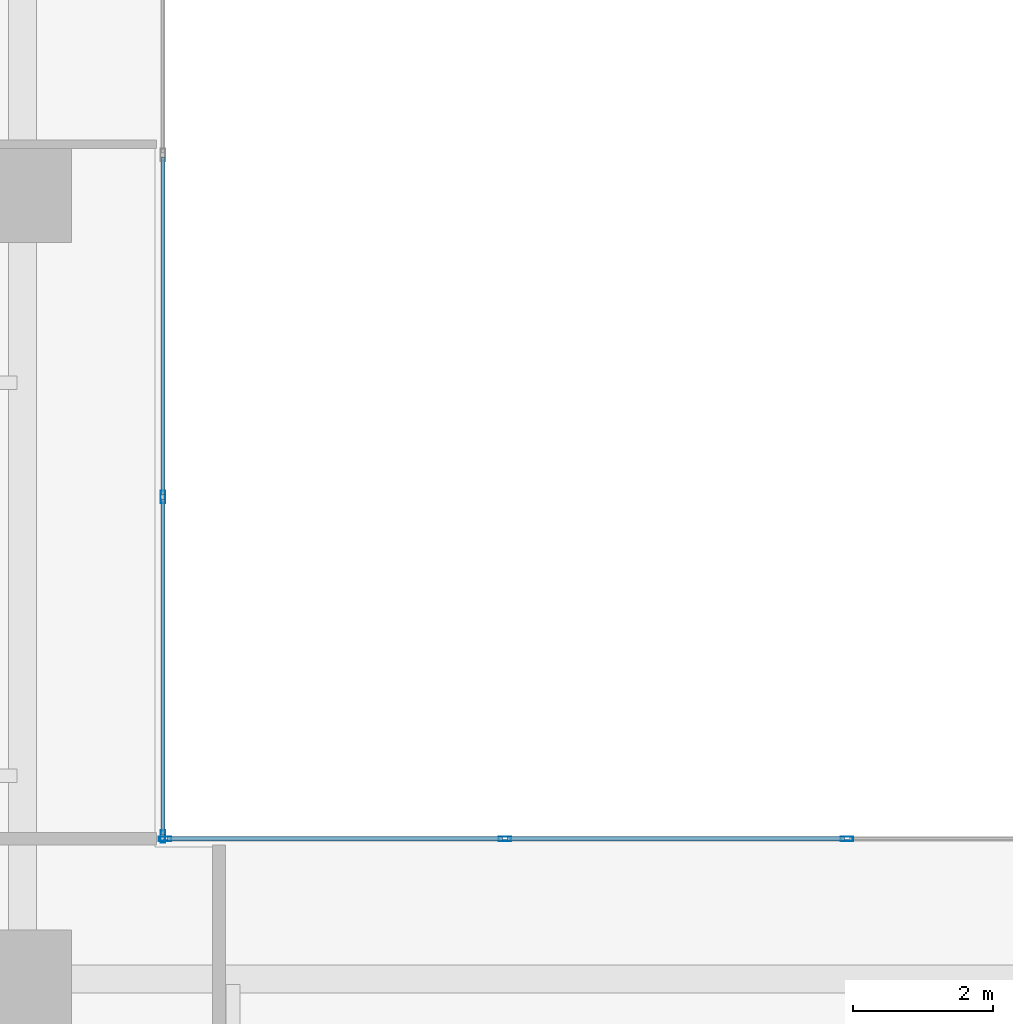
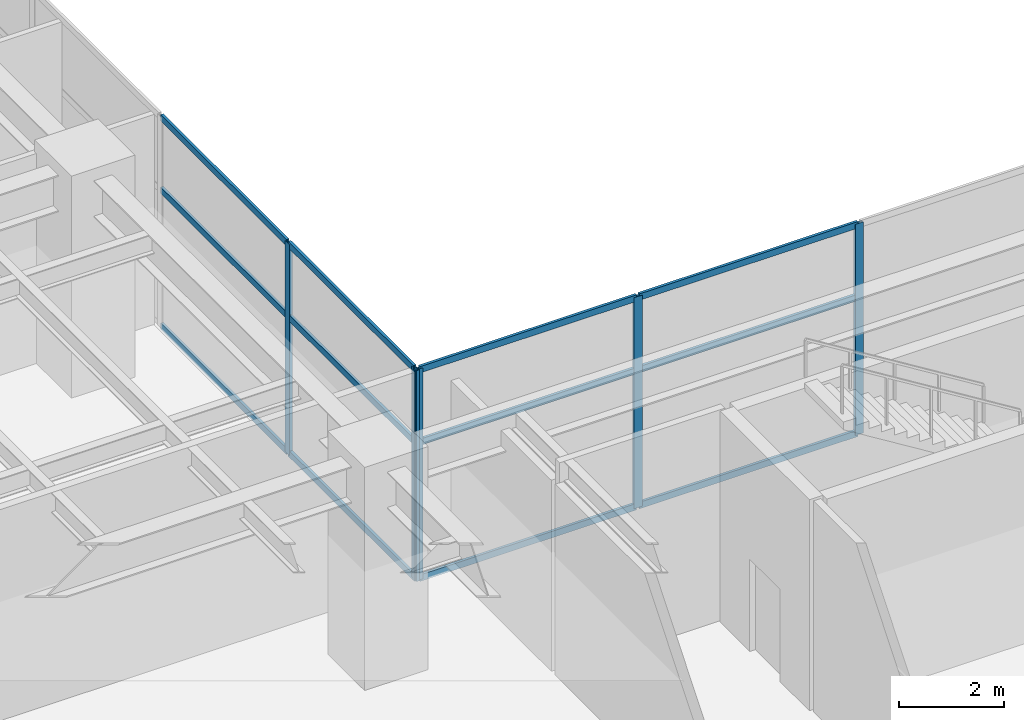
# One storey, part 8 of 22: 17 members, 2 elements without a shape of their own.
"""IFC4 building model written with IfcOpenShell, lengths in metres."""

import ifcopenshell
import ifcopenshell.guid

model = None  # the IFC model being written
_history = None  # IfcOwnerHistory: only IFC2X3 demands one
_inside = {}  # id of a spatial element -> (the spatial element, [elements in it])
_under = {}  # id of a project, library or spatial element -> (it, [spatial elements below it])
_declared = {}  # id of a project -> (the project, [libraries it declares])
_typed = {}  # id of a type object -> (the type object, [elements of that type])
_made_of = {}  # id of a material, layer set ... -> (it, [elements and type objects made of it])


def new_model(schema):
    """Start an empty IFC model of exactly this schema.

    Asked for "IFC4X3", IfcOpenShell would pick the latest addendum, in which some entities
    have other attributes; the version numbers below select the first issue.
    IFC2X3 requires an IfcOwnerHistory on every rooted entity: one is made here for all.
    """
    global model, _history
    if schema == "IFC4X3":
        model = ifcopenshell.file(schema_version=(4, 3, 0, 0))
    else:
        model = ifcopenshell.file(schema=schema)
    _inside.clear()
    _under.clear()
    _declared.clear()
    _typed.clear()
    _made_of.clear()
    _history = None
    if model.schema == "IFC2X3":
        org = make("IfcOrganization", Name="unknown")
        user = make(
            "IfcPersonAndOrganization",
            ThePerson=make("IfcPerson", FamilyName="unknown"),
            TheOrganization=org,
        )
        app = make(
            "IfcApplication",
            ApplicationDeveloper=org,
            Version="unknown",
            ApplicationFullName="unknown",
            ApplicationIdentifier="unknown",
        )
        _history = make(
            "IfcOwnerHistory",
            OwningUser=user,
            OwningApplication=app,
            ChangeAction="ADDED",
            CreationDate=0,
        )
    return model


def make(cls, **values):
    """One entity of the class cls with the attributes given. An attribute that is None is left unset."""
    return model.create_entity(
        cls, **{name: value for name, value in values.items() if value is not None}
    )


def rooted(cls, **values):
    """An entity with a GlobalId (a new one), such as an element, a storey or a relation."""
    return make(cls, GlobalId=ifcopenshell.guid.new(), OwnerHistory=_history, **values)


def si_unit(unit_type, name, prefix=None):
    """IfcSIUnit, for example si_unit("LENGTHUNIT", "METRE", prefix="MILLI")."""
    return make("IfcSIUnit", UnitType=unit_type, Prefix=prefix, Name=name)


def assignment(units):
    """IfcUnitAssignment: the units of a project."""
    return None if units is None else make("IfcUnitAssignment", Units=units)


def point(xyz):
    """IfcCartesianPoint."""
    return None if xyz is None else make("IfcCartesianPoint", Coordinates=xyz)


def direction(xyz):
    """IfcDirection."""
    return None if xyz is None else make("IfcDirection", DirectionRatios=xyz)


def frame(location, z_axis=None, x_axis=None):
    """IfcAxis2Placement3D, a coordinate frame: its origin and axes. An axis left out is left unset."""
    return make(
        "IfcAxis2Placement3D",
        Location=point(location),
        Axis=direction(z_axis),
        RefDirection=direction(x_axis),
    )


def frame_2d(location, x_axis=None):
    """IfcAxis2Placement2D, a coordinate frame in the plane: its origin and x axis."""
    return make(
        "IfcAxis2Placement2D", Location=point(location), RefDirection=direction(x_axis)
    )


def origin():
    """The frame at (0, 0, 0) with its axes left unset."""
    return frame((0.0, 0.0, 0.0))


def origin_2d():
    """The frame at (0, 0) in the plane with its x axis left unset."""
    return frame_2d((0.0, 0.0))


def place(relative_to, where):
    """IfcLocalPlacement: puts the frame where relative to a parent placement (None: the world)."""
    return make(
        "IfcLocalPlacement", PlacementRelTo=relative_to, RelativePlacement=where
    )


def context(
    kind, dimensions, precision=None, world=None, true_north=None, identifier=None
):
    """IfcGeometricRepresentationContext, for example the 3D "Model" context."""
    return make(
        "IfcGeometricRepresentationContext",
        ContextIdentifier=identifier,
        ContextType=kind,
        CoordinateSpaceDimension=dimensions,
        Precision=precision,
        WorldCoordinateSystem=world,
        TrueNorth=true_north,
    )


def subcontext(parent, identifier, kind, view, scale=None):
    """IfcGeometricRepresentationSubContext, for example "Body" below "Model"."""
    return make(
        "IfcGeometricRepresentationSubContext",
        ContextIdentifier=identifier,
        ContextType=kind,
        ParentContext=parent,
        TargetScale=scale,
        TargetView=view,
    )


def project(units=None, contexts=None):
    """IfcProject with its units and contexts."""
    return rooted(
        "IfcProject",
        Name="project",
        RepresentationContexts=contexts,
        UnitsInContext=assignment(units),
    )


def spatial(cls, under=None, at=None, **own):
    """A site, building, storey or space (cls), placed at a placement, below another one or the project."""
    s = rooted(cls, ObjectPlacement=at, **own)
    if under is not None:
        _under.setdefault(under.id(), (under, []))[1].append(s)
    return s


def profile(cls, at=None, kind="AREA", **sizes):
    """A parametric profile (cls). Its sizes go by their IFC names, for example OverallWidth=200.0."""
    return make(cls, ProfileType=kind, Position=at, **sizes)


def hollow_rectangle(**sizes):
    """IfcRectangleHollowProfileDef."""
    return profile("IfcRectangleHollowProfileDef", **sizes)


def extrude(swept, where, along, depth):
    """IfcExtrudedAreaSolid: the profile swept, set in the frame where, extruded along a direction by depth."""
    return make(
        "IfcExtrudedAreaSolid",
        SweptArea=swept,
        Position=where,
        ExtrudedDirection=direction(along),
        Depth=depth,
    )


def shape(context_of_items, identifier, shape_type, items):
    """IfcShapeRepresentation: the items that make up one representation, for example the "Body"."""
    return make(
        "IfcShapeRepresentation",
        ContextOfItems=context_of_items,
        RepresentationIdentifier=identifier,
        RepresentationType=shape_type,
        Items=items,
    )


def material(Name=None, Category=None):
    """IfcMaterial."""
    return make("IfcMaterial", Name=Name, Category=Category)


def layer(
    of_material, thickness, ventilated=None, Name=None, Category=None, Priority=None
):
    """IfcMaterialLayer: one layer of a wall or slab, of a material (None: an air gap)."""
    return make(
        "IfcMaterialLayer",
        Material=of_material,
        LayerThickness=thickness,
        IsVentilated=ventilated,
        Name=Name,
        Category=Category,
        Priority=Priority,
    )


def layer_set(layers, Name=None):
    """IfcMaterialLayerSet."""
    return make("IfcMaterialLayerSet", MaterialLayers=layers, LayerSetName=Name)


def material_profile(
    of_material, cross_section, Name=None, Category=None, Priority=None
):
    """IfcMaterialProfile: a cross section and its material."""
    return make(
        "IfcMaterialProfile",
        Name=Name,
        Material=of_material,
        Profile=cross_section,
        Priority=Priority,
        Category=Category,
    )


def profile_set(profiles, Name=None, composite=None):
    """IfcMaterialProfileSet."""
    return make(
        "IfcMaterialProfileSet",
        Name=Name,
        MaterialProfiles=profiles,
        CompositeProfile=composite,
    )


def made_of(thing, what):
    """Note that an element or type object is made of a material, layer set ...; save() writes the relation."""
    if what is not None:
        _made_of.setdefault(what.id(), (what, []))[1].append(thing)
    return thing


def type_object(cls, material=None, **own):
    """A type object (cls), such as IfcWallType, which elements share."""
    return made_of(rooted(cls, **own), material)


def element(
    cls,
    number,
    at=None,
    inside=None,
    cuts=None,
    type_object=None,
    material=None,
    context=None,
    identifier="Body",
    shape_type=None,
    held_by="IfcProductDefinitionShape",
    body=None,
    shapes=None,
    **own,
):
    """One element of the class cls, such as IfcWall. Its Tag is "e" and its number.

    at: its placement. inside: the storey or other place that contains it. cuts: it is an
    opening in that element (IfcRelVoidsElement). A single representation is given by context,
    identifier, shape_type and body (its items); several are given by shapes. held_by: the class
    of the entity that holds the representations. save() writes the other relations.
    """
    e = rooted(cls, Tag="e%d" % number, ObjectPlacement=at, **own)
    if body is not None:
        shapes = [shape(context, identifier, shape_type, body)]
    if shapes is not None:
        e.Representation = make(held_by, Representations=shapes)
    if inside is not None:
        _inside.setdefault(inside.id(), (inside, []))[1].append(e)
    if cuts is not None:
        rooted(
            "IfcRelVoidsElement", RelatingBuildingElement=cuts, RelatedOpeningElement=e
        )
    if type_object is not None:
        _typed.setdefault(type_object.id(), (type_object, []))[1].append(e)
    return made_of(e, material)


def aggregate(whole, parts):
    """IfcRelAggregates: a whole, such as a stair, and the parts it consists of."""
    return rooted("IfcRelAggregates", RelatingObject=whole, RelatedObjects=parts)


def save(model, path):
    """Write the relations noted so far, then the file.

    IfcRelAggregates (storeys below a building ...), IfcRelContainedInSpatialStructure (elements
    in a storey), IfcRelDefinesByType, IfcRelAssociatesMaterial and IfcRelDeclares: one each for
    every whole, place, type object, material and project.
    """
    for whole, parts in _under.values():
        aggregate(whole, parts)
    for where, things in _inside.values():
        rooted(
            "IfcRelContainedInSpatialStructure",
            RelatedElements=things,
            RelatingStructure=where,
        )
    for kind, things in _typed.values():
        rooted("IfcRelDefinesByType", RelatedObjects=things, RelatingType=kind)
    for what, things in _made_of.values():
        rooted("IfcRelAssociatesMaterial", RelatedObjects=things, RelatingMaterial=what)
    for by, libraries in _declared.values():
        rooted("IfcRelDeclares", RelatingContext=by, RelatedDefinitions=libraries)
    model.write(path)


model = new_model("IFC4")

# Units and contexts
model_context = context("Model", 3, precision=1e-05, world=origin(), true_north=direction((0.0, 1.0)))
body_context = subcontext(model_context, "Body", "Model", "MODEL_VIEW")
ifc_project = project(units=[si_unit("LENGTHUNIT", "METRE"), si_unit("AREAUNIT", "SQUARE_METRE"), si_unit("VOLUMEUNIT", "CUBIC_METRE"), si_unit("PLANEANGLEUNIT", "RADIAN"), si_unit("MASSUNIT", "GRAM", prefix="KILO")], contexts=[model_context])

# Site, building, storey
site_placement = place(None, origin())
site = spatial("IfcSite", under=ifc_project, at=site_placement, CompositionType="ELEMENT")
building_placement = place(site_placement, origin())
building = spatial("IfcBuilding", under=site, at=building_placement, Name="Mawjaban Terraces University", CompositionType="ELEMENT")
storey_placement = place(building_placement, frame((0.0, 0.0, 10.39990234375)))
storey = spatial("IfcBuildingStorey", under=building, at=storey_placement, Name="L02", CompositionType="ELEMENT", Elevation=10.39990234375)

# Curtain wall, members
ifc_material_1 = material(Name="Anodised aluminium 6063-T6 and solar-control low-E glass", Category="aluminium")
ifc_layer = layer(ifc_material_1, 0.179931640625)
ifc_layer_set = layer_set([ifc_layer], Name="Anodised aluminium 6063-T6 and solar-control low-E glass")
curtain_wall_type = type_object("IfcCurtainWallType", Name="CWSystem_01_PlazaFoyer", PredefinedType="NOTDEFINED", material=ifc_layer_set)
curtain_wall_1_placement = place(storey_placement, origin())
curtain_wall_1 = element("IfcCurtainWall", 1, at=curtain_wall_1_placement, inside=storey, type_object=curtain_wall_type, Name="L02 Curtain Wall CW-01 Run 5.1", PredefinedType="NOTDEFINED")
ifc_material_2 = material(Name="Anodised aluminium 6063-T6", Category="aluminium")
ifc_material_profile_1 = material_profile(ifc_material_2, hollow_rectangle(XDim=0.06494140625, YDim=0.179931640625, WallThickness=0.00390625, at=origin_2d()), Name="ALU180X65X4")
ifc_profile_set_1 = profile_set([ifc_material_profile_1], Name="Anodised aluminium 6063-T6")
member_type_1 = type_object("IfcMemberType", Name="Mullion_CW-01", PredefinedType="MULLION", material=ifc_profile_set_1)
member_1_placement = place(storey_placement, frame((63.75, 32.0, 0.0), z_axis=(0.0, 0.0, 1.0), x_axis=(0.0, -1.0, 0.0)))
member_1 = element("IfcMember", 2, at=member_1_placement, type_object=member_type_1, Name="CW-01 mullion 3", PredefinedType="MULLION", context=body_context, shape_type="SweptSolid", body=[
    extrude(hollow_rectangle(XDim=0.06494140625, YDim=0.179931640625, WallThickness=0.00390625, at=origin_2d()), origin(), (0.0, 0.0, 1.0), 4.920166015625),
])
member_2_placement = place(storey_placement, frame((58.875, 32.0, 0.0), z_axis=(0.0, 0.0, 1.0), x_axis=(0.0, -1.0, 0.0)))
member_2 = element("IfcMember", 3, at=member_2_placement, type_object=member_type_1, Name="CW-01 mullion 4", PredefinedType="MULLION", context=body_context, shape_type="SweptSolid", body=[
    extrude(hollow_rectangle(XDim=0.06494140625, YDim=0.179931640625, WallThickness=0.00390625, at=origin_2d()), origin(), (0.0, 0.0, 1.0), 4.920166015625),
])
member_3_placement = place(storey_placement, frame((54.032470703125, 32.0, 0.0), z_axis=(0.0, 0.0, 1.0), x_axis=(0.0, -1.0, 0.0)))
member_3 = element("IfcMember", 4, at=member_3_placement, type_object=member_type_1, Name="CW-01 mullion 5", PredefinedType="MULLION", context=body_context, shape_type="SweptSolid", body=[
    extrude(hollow_rectangle(XDim=0.06494140625, YDim=0.179931640625, WallThickness=0.00390625, at=origin_2d()), origin(), (0.0, 0.0, 1.0), 4.920166015625),
])

curtain_wall_2_placement = place(storey_placement, origin())
curtain_wall_2 = element("IfcCurtainWall", 5, at=curtain_wall_2_placement, inside=storey, type_object=curtain_wall_type, Name="L02 Curtain Wall CW-01 Run 6.1", PredefinedType="NOTDEFINED")
member_4_placement = place(storey_placement, frame((54.0, 32.032470703125, 0.0), z_axis=(0.0, 0.0, 1.0), x_axis=(-1.0, 0.0, 0.0)))
member_4 = element("IfcMember", 6, at=member_4_placement, type_object=member_type_1, Name="CW-01 mullion 1", PredefinedType="MULLION", context=body_context, shape_type="SweptSolid", body=[
    extrude(hollow_rectangle(XDim=0.06494140625, YDim=0.179931640625, WallThickness=0.00390625, at=origin_2d()), origin(), (0.0, 0.0, 1.0), 4.920166015625),
])
member_5_placement = place(storey_placement, frame((54.0, 36.875, 0.0), z_axis=(0.0, 0.0, 1.0), x_axis=(-1.0, 0.0, 0.0)))
member_5 = element("IfcMember", 7, at=member_5_placement, type_object=member_type_1, Name="CW-01 mullion 2", PredefinedType="MULLION", context=body_context, shape_type="SweptSolid", body=[
    extrude(hollow_rectangle(XDim=0.06494140625, YDim=0.179931640625, WallThickness=0.00390625, at=origin_2d()), origin(), (0.0, 0.0, 1.0), 4.920166015625),
])

# Member
ifc_material_profile_2 = material_profile(ifc_material_2, hollow_rectangle(XDim=0.06005859375, YDim=0.14990234375, WallThickness=0.00390625, at=origin_2d()), Name="ALU150X60X4")
ifc_profile_set_2 = profile_set([ifc_material_profile_2], Name="Anodised aluminium 6063-T6")
member_type_2 = type_object("IfcMemberType", Name="Transom_CW-01", PredefinedType="NOTDEFINED", material=ifc_profile_set_2)
member_6_placement = place(storey_placement, frame((63.717529296875, 32.0, 0.030029296875), z_axis=(-1.0, 0.0, 0.0), x_axis=(0.0, -1.0, 0.0)))
member_6 = element("IfcMember", 8, at=member_6_placement, type_object=member_type_2, Name="CW-01 transom 3.1", ObjectType="TRANSOM", PredefinedType="USERDEFINED", context=body_context, shape_type="SweptSolid", body=[
    extrude(hollow_rectangle(XDim=0.06005859375, YDim=0.14990234375, WallThickness=0.00390625, at=origin_2d()), origin(), (0.0, 0.0, 1.0), 4.81005859375),
])

member_7_placement = place(storey_placement, frame((63.717529296875, 32.0, 3.197998046875), z_axis=(-1.0, 0.0, 0.0), x_axis=(0.0, -1.0, 0.0)))
member_7 = element("IfcMember", 9, at=member_7_placement, type_object=member_type_2, Name="CW-01 transom 3.2", ObjectType="TRANSOM", PredefinedType="USERDEFINED", context=body_context, shape_type="SweptSolid", body=[
    extrude(hollow_rectangle(XDim=0.06005859375, YDim=0.14990234375, WallThickness=0.00390625, at=origin_2d()), origin(), (0.0, 0.0, 1.0), 4.81005859375),
])

member_8_placement = place(storey_placement, frame((63.717529296875, 32.0, 4.89013671875), z_axis=(-1.0, 0.0, 0.0), x_axis=(0.0, -1.0, 0.0)))
member_8 = element("IfcMember", 10, at=member_8_placement, type_object=member_type_2, Name="CW-01 transom 3.3", ObjectType="TRANSOM", PredefinedType="USERDEFINED", context=body_context, shape_type="SweptSolid", body=[
    extrude(hollow_rectangle(XDim=0.06005859375, YDim=0.14990234375, WallThickness=0.00390625, at=origin_2d()), origin(), (0.0, 0.0, 1.0), 4.81005859375),
])

member_9_placement = place(storey_placement, frame((58.842529296875, 32.0, 0.030029296875), z_axis=(-1.0, 0.0, 0.0), x_axis=(0.0, -1.0, 0.0)))
member_9 = element("IfcMember", 11, at=member_9_placement, type_object=member_type_2, Name="CW-01 transom 4.1", ObjectType="TRANSOM", PredefinedType="USERDEFINED", context=body_context, shape_type="SweptSolid", body=[
    extrude(hollow_rectangle(XDim=0.06005859375, YDim=0.14990234375, WallThickness=0.00390625, at=origin_2d()), origin(), (0.0, 0.0, 1.0), 4.777587890625),
])

member_10_placement = place(storey_placement, frame((58.842529296875, 32.0, 3.197998046875), z_axis=(-1.0, 0.0, 0.0), x_axis=(0.0, -1.0, 0.0)))
member_10 = element("IfcMember", 12, at=member_10_placement, type_object=member_type_2, Name="CW-01 transom 4.2", ObjectType="TRANSOM", PredefinedType="USERDEFINED", context=body_context, shape_type="SweptSolid", body=[
    extrude(hollow_rectangle(XDim=0.06005859375, YDim=0.14990234375, WallThickness=0.00390625, at=origin_2d()), origin(), (0.0, 0.0, 1.0), 4.777587890625),
])

member_11_placement = place(storey_placement, frame((58.842529296875, 32.0, 4.89013671875), z_axis=(-1.0, 0.0, 0.0), x_axis=(0.0, -1.0, 0.0)))
member_11 = element("IfcMember", 13, at=member_11_placement, type_object=member_type_2, Name="CW-01 transom 4.3", ObjectType="TRANSOM", PredefinedType="USERDEFINED", context=body_context, shape_type="SweptSolid", body=[
    extrude(hollow_rectangle(XDim=0.06005859375, YDim=0.14990234375, WallThickness=0.00390625, at=origin_2d()), origin(), (0.0, 0.0, 1.0), 4.777587890625),
])

aggregate(curtain_wall_1, [member_1, member_2, member_3, member_6, member_7, member_8, member_9, member_10, member_11])

member_12_placement = place(storey_placement, frame((54.0, 32.06494140625, 0.030029296875), z_axis=(0.0, 1.0, 0.0), x_axis=(-1.0, 0.0, 0.0)))
member_12 = element("IfcMember", 14, at=member_12_placement, type_object=member_type_2, Name="CW-01 transom 1.1", ObjectType="TRANSOM", PredefinedType="USERDEFINED", context=body_context, shape_type="SweptSolid", body=[
    extrude(hollow_rectangle(XDim=0.06005859375, YDim=0.14990234375, WallThickness=0.00390625, at=origin_2d()), origin(), (0.0, 0.0, 1.0), 4.777587890625),
])

member_13_placement = place(storey_placement, frame((54.0, 32.06494140625, 3.197998046875), z_axis=(0.0, 1.0, 0.0), x_axis=(-1.0, 0.0, 0.0)))
member_13 = element("IfcMember", 15, at=member_13_placement, type_object=member_type_2, Name="CW-01 transom 1.2", ObjectType="TRANSOM", PredefinedType="USERDEFINED", context=body_context, shape_type="SweptSolid", body=[
    extrude(hollow_rectangle(XDim=0.06005859375, YDim=0.14990234375, WallThickness=0.00390625, at=origin_2d()), origin(), (0.0, 0.0, 1.0), 4.777587890625),
])

member_14_placement = place(storey_placement, frame((54.0, 32.06494140625, 4.89013671875), z_axis=(0.0, 1.0, 0.0), x_axis=(-1.0, 0.0, 0.0)))
member_14 = element("IfcMember", 16, at=member_14_placement, type_object=member_type_2, Name="CW-01 transom 1.3", ObjectType="TRANSOM", PredefinedType="USERDEFINED", context=body_context, shape_type="SweptSolid", body=[
    extrude(hollow_rectangle(XDim=0.06005859375, YDim=0.14990234375, WallThickness=0.00390625, at=origin_2d()), origin(), (0.0, 0.0, 1.0), 4.777587890625),
])

member_15_placement = place(storey_placement, frame((54.0, 36.907470703125, 0.030029296875), z_axis=(0.0, 1.0, 0.0), x_axis=(-1.0, 0.0, 0.0)))
member_15 = element("IfcMember", 17, at=member_15_placement, type_object=member_type_2, Name="CW-01 transom 2.1", ObjectType="TRANSOM", PredefinedType="USERDEFINED", context=body_context, shape_type="SweptSolid", body=[
    extrude(hollow_rectangle(XDim=0.06005859375, YDim=0.14990234375, WallThickness=0.00390625, at=origin_2d()), origin(), (0.0, 0.0, 1.0), 4.81005859375),
])

member_16_placement = place(storey_placement, frame((54.0, 36.907470703125, 3.197998046875), z_axis=(0.0, 1.0, 0.0), x_axis=(-1.0, 0.0, 0.0)))
member_16 = element("IfcMember", 18, at=member_16_placement, type_object=member_type_2, Name="CW-01 transom 2.2", ObjectType="TRANSOM", PredefinedType="USERDEFINED", context=body_context, shape_type="SweptSolid", body=[
    extrude(hollow_rectangle(XDim=0.06005859375, YDim=0.14990234375, WallThickness=0.00390625, at=origin_2d()), origin(), (0.0, 0.0, 1.0), 4.81005859375),
])

member_17_placement = place(storey_placement, frame((54.0, 36.907470703125, 4.89013671875), z_axis=(0.0, 1.0, 0.0), x_axis=(-1.0, 0.0, 0.0)))
member_17 = element("IfcMember", 19, at=member_17_placement, type_object=member_type_2, Name="CW-01 transom 2.3", ObjectType="TRANSOM", PredefinedType="USERDEFINED", context=body_context, shape_type="SweptSolid", body=[
    extrude(hollow_rectangle(XDim=0.06005859375, YDim=0.14990234375, WallThickness=0.00390625, at=origin_2d()), origin(), (0.0, 0.0, 1.0), 4.81005859375),
])

aggregate(curtain_wall_2, [member_4, member_5, member_12, member_13, member_14, member_15, member_16, member_17])

save(model, "model.ifc")
